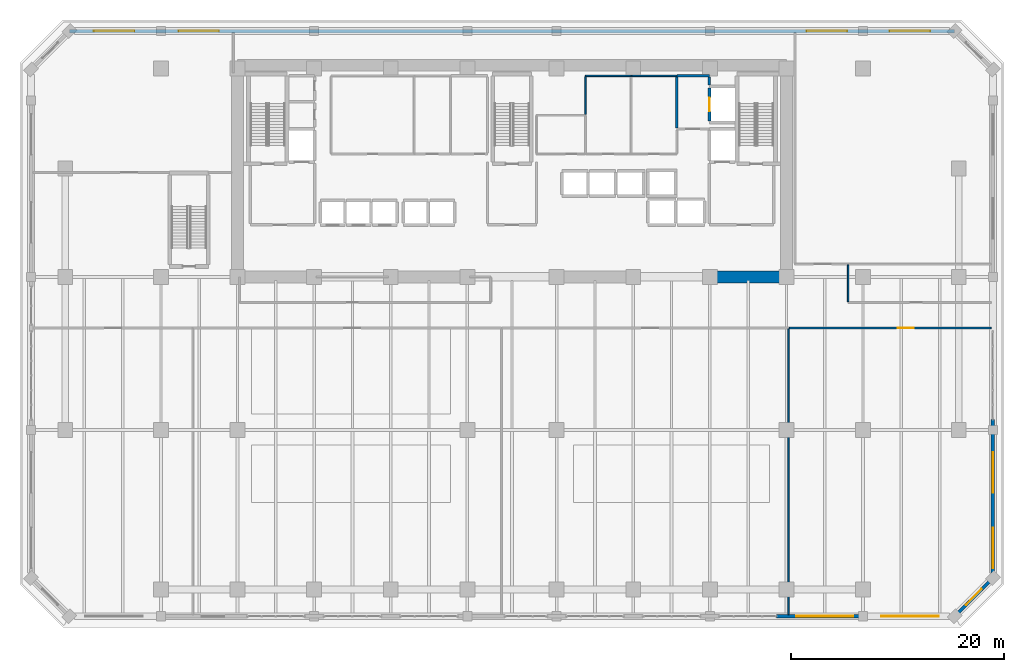
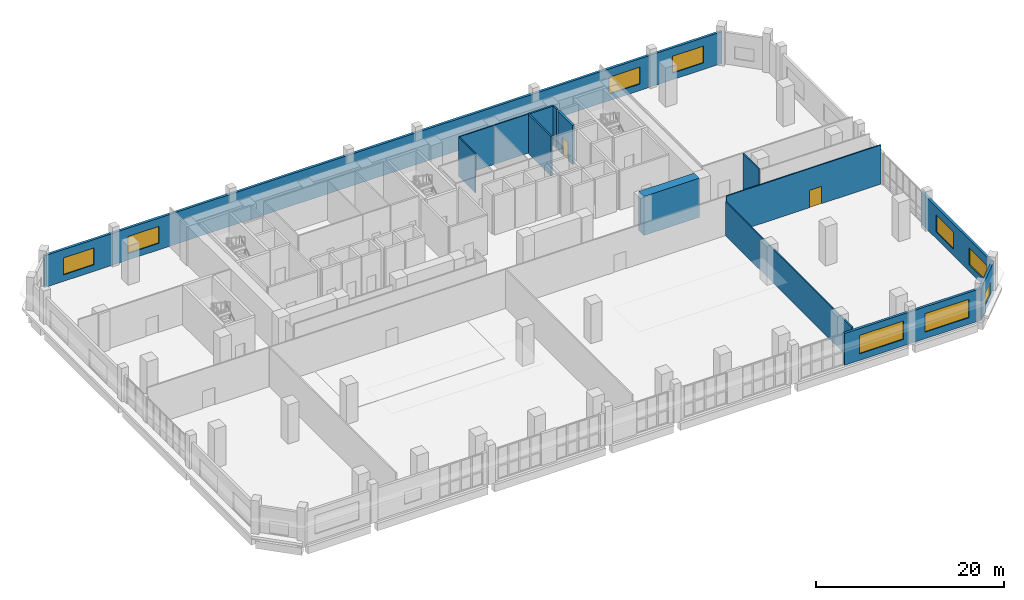
# One storey, part 21 of 25: 15 walls, 9 windows, 2 doors, 11 openings.
"""IFC4 building model written with IfcOpenShell, lengths in metres."""

from ifc_helpers import new_model, si_unit, direction, frame, frame_2d, origin, place, context, subcontext, project, spatial, rectangle, extrude, material, layer, layer_set, type_object, element, fill, save


model = new_model("IFC4")

# Units and contexts
model_context = context("Model", 3, precision=1e-05, world=origin(), true_north=direction((0.0, 1.0)))
body_context = subcontext(model_context, "Body", "Model", "MODEL_VIEW")
ifc_project = project(units=[si_unit("LENGTHUNIT", "METRE"), si_unit("AREAUNIT", "SQUARE_METRE"), si_unit("VOLUMEUNIT", "CUBIC_METRE"), si_unit("PLANEANGLEUNIT", "RADIAN"), si_unit("MASSUNIT", "GRAM", prefix="KILO")], contexts=[model_context])

# Site, building, storey
site_placement = place(None, origin())
site = spatial("IfcSite", under=ifc_project, at=site_placement, CompositionType="ELEMENT")
building_placement = place(site_placement, origin())
building = spatial("IfcBuilding", under=site, at=building_placement, Name="Kaelvorn Grand Hotel", CompositionType="ELEMENT")
storey_placement = place(building_placement, frame((0.0, 0.0, 14.0)))
storey = spatial("IfcBuildingStorey", under=building, at=storey_placement, Name="L02", CompositionType="ELEMENT", Elevation=14.0)

# Wall
ifc_material_1 = material(Name="Concrete C80/95", Category="concrete")
ifc_layer_1 = layer(ifc_material_1, 1.10009765625)
ifc_layer_set_1 = layer_set([ifc_layer_1], Name="Concrete C80/95")
wall_type_1 = type_object("IfcWallType", Name="WL-CORE-1100-C80", PredefinedType="SHEAR", material=ifc_layer_set_1)
wall_1_placement = place(storey_placement, frame((60.39990234375, 29.39990234375, 0.0), z_axis=(0.0, 0.0, 1.0), x_axis=(1.0, 0.0, 0.0)))
element("IfcWall", 1, at=wall_1_placement, inside=storey, type_object=wall_type_1, Name="L02 Rear-Core Coupled Shear Pier S4", PredefinedType="SHEAR", context=body_context, shape_type="SweptSolid", body=[
    extrude(rectangle(XDim=6.84521484375, YDim=1.10009765625, at=frame_2d((3.422607421875, 0.0))), origin(), (0.0, 0.0, 1.0), 5.080078125),
])

# Wall, openings, windows
ifc_material_2 = material(Name="Concrete C40/50", Category="concrete")
ifc_layer_2 = layer(ifc_material_2, 0.300048828125)
ifc_layer_set_2 = layer_set([ifc_layer_2], Name="Concrete C40/50")
wall_type_2 = type_object("IfcWallType", Name="WL-EXT-300-C40", PredefinedType="SOLIDWALL", material=ifc_layer_set_2)
wall_2_placement = place(storey_placement, frame((66.875, -2.5, 0.0), z_axis=(0.0, 0.0, 1.0), x_axis=(1.0, 0.0, 0.0)))
wall_2 = element("IfcWall", 2, at=wall_2_placement, inside=storey, type_object=wall_type_2, Name="L02 Exterior Architectural Concrete Wall 01 Pier 8", PredefinedType="SOLIDWALL", context=body_context, shape_type="SweptSolid", body=[
    extrude(rectangle(XDim=16.72509765625, YDim=0.300048828125, at=frame_2d((8.362548828125, 0.0))), origin(), (0.0, 0.0, 1.0), 4.1298828125),
])
opening_1_placement = place(wall_2_placement, frame((1.824951171875, 0.0, 0.85009765625)))
opening_1 = element("IfcOpeningElement", 3, at=opening_1_placement, cuts=wall_2, Name="Opening W8", PredefinedType="OPENING", context=body_context, shape_type="SweptSolid", body=[
    extrude(rectangle(XDim=5.39990234375, YDim=2.39990234375, at=frame_2d((2.699951171875, 1.199951171875))), frame((0.0, 0.16015625, 0.0), z_axis=(0.0, -1.0, 0.0), x_axis=(1.0, 0.0, 0.0)), (0.0, 0.0, 1.0), 0.320068359375),
])
opening_2_placement = place(wall_2_placement, frame((9.85009765625, 0.0, 0.85009765625)))
opening_2 = element("IfcOpeningElement", 4, at=opening_2_placement, cuts=wall_2, Name="Opening W8", PredefinedType="OPENING", context=body_context, shape_type="SweptSolid", body=[
    extrude(rectangle(XDim=5.39990234375, YDim=2.39990234375, at=frame_2d((2.699951171875, 1.199951171875))), frame((0.0, 0.16015625, 0.0), z_axis=(0.0, -1.0, 0.0), x_axis=(1.0, 0.0, 0.0)), (0.0, 0.0, 1.0), 0.320068359375),
])
ifc_material_3 = material(Name="Laminated Low-E Glass", Category="glass")
window_type_1 = type_object("IfcWindowType", Name="WIN-POD-5400x2400", PartitioningType="SINGLE_PANEL", PredefinedType="WINDOW", material=ifc_material_3)
window_1_placement = place(opening_1_placement, origin())
window_1 = element("IfcWindow", 5, at=window_1_placement, inside=storey, type_object=window_type_1, Name="L02 Podium South Ribbon Window 1", OverallHeight=2.39990234375, OverallWidth=5.39990234375, PartitioningType="SINGLE_PANEL", PredefinedType="WINDOW", context=body_context, shape_type="SweptSolid", body=[
    extrude(rectangle(XDim=5.39990234375, YDim=2.39990234375, at=frame_2d((2.699951171875, 1.199951171875))), frame((0.0, 0.030029296875, 0.0), z_axis=(0.0, -1.0, 0.0), x_axis=(1.0, 0.0, 0.0)), (0.0, 0.0, 1.0), 0.06005859375),
])
fill(opening_1, window_1)
window_2_placement = place(opening_2_placement, origin())
window_2 = element("IfcWindow", 6, at=window_2_placement, inside=storey, type_object=window_type_1, Name="L02 Podium South Ribbon Window 2", OverallHeight=2.39990234375, OverallWidth=5.39990234375, PartitioningType="SINGLE_PANEL", PredefinedType="WINDOW", context=body_context, shape_type="SweptSolid", body=[
    extrude(rectangle(XDim=5.39990234375, YDim=2.39990234375, at=frame_2d((2.699951171875, 1.199951171875))), frame((0.0, 0.030029296875, 0.0), z_axis=(0.0, -1.0, 0.0), x_axis=(1.0, 0.0, 0.0)), (0.0, 0.0, 1.0), 0.06005859375),
])
fill(opening_2, window_2)

# Wall, opening, window
wall_3_placement = place(storey_placement, frame((83.60009765625, -2.5, 0.0), z_axis=(0.0, 0.0, 1.0), x_axis=(0.707082803744, 0.707130757816, 0.0)))
wall_3 = element("IfcWall", 7, at=wall_3_placement, inside=storey, type_object=wall_type_2, Name="L02 Exterior Architectural Concrete Wall 02", PredefinedType="SOLIDWALL", context=body_context, shape_type="SweptSolid", body=[
    extrude(rectangle(XDim=5.091064453125, YDim=0.300048828125, at=frame_2d((2.54541015625, 0.0))), origin(), (0.0, 0.0, 1.0), 4.1298828125),
])
opening_3_placement = place(wall_3_placement, frame((1.49560546875, 0.0, 0.85009765625)))
opening_3 = element("IfcOpeningElement", 8, at=opening_3_placement, cuts=wall_3, Name="Opening W7", PredefinedType="OPENING", context=body_context, shape_type="SweptSolid", body=[
    extrude(rectangle(XDim=2.10009765625, YDim=1.60009765625, at=frame_2d((1.050048828125, 0.800048828125))), frame((0.0, 0.16015625, 0.0), z_axis=(0.0, -1.0, 0.0), x_axis=(1.0, 0.0, 0.0)), (0.0, 0.0, 1.0), 0.320068359375),
])
window_type_2 = type_object("IfcWindowType", Name="WIN-CHM-2100x1600", PartitioningType="SINGLE_PANEL", PredefinedType="WINDOW", material=ifc_material_3)
window_3_placement = place(opening_3_placement, origin())
window_3 = element("IfcWindow", 9, at=window_3_placement, inside=storey, type_object=window_type_2, Name="L02 Chamfered 45-Degree Corner Window SE", OverallHeight=1.60009765625, OverallWidth=2.10009765625, PartitioningType="SINGLE_PANEL", PredefinedType="WINDOW", context=body_context, shape_type="SweptSolid", body=[
    extrude(rectangle(XDim=2.10009765625, YDim=1.60009765625, at=frame_2d((1.050048828125, 0.800048828125))), frame((0.0, 0.030029296875, 0.0), z_axis=(0.0, -1.0, 0.0), x_axis=(1.0, 0.0, 0.0)), (0.0, 0.0, 1.0), 0.06005859375),
])
fill(opening_3, window_3)

# Wall, openings, windows
wall_4_placement = place(storey_placement, frame((87.199951171875, 1.10009765625, 0.0), z_axis=(0.0, 0.0, 1.0), x_axis=(0.0, 1.0, 0.0)))
wall_4 = element("IfcWall", 10, at=wall_4_placement, inside=storey, type_object=wall_type_2, Name="L02 Exterior Architectural Concrete Wall 03 Pier 1", PredefinedType="SOLIDWALL", context=body_context, shape_type="SweptSolid", body=[
    extrude(rectangle(XDim=14.90478515625, YDim=0.300048828125, at=frame_2d((7.452392578125, 0.0))), origin(), (0.0, 0.0, 1.0), 4.1298828125),
])
opening_4_placement = place(wall_4_placement, frame((0.925048828125, 0.0, 0.85009765625)))
opening_4 = element("IfcOpeningElement", 11, at=opening_4_placement, cuts=wall_4, Name="Opening W9", PredefinedType="OPENING", context=body_context, shape_type="SweptSolid", body=[
    extrude(rectangle(XDim=3.800048828125, YDim=2.199951171875, at=frame_2d((1.89990234375, 1.10009765625))), frame((0.0, 0.16015625, 0.0), z_axis=(0.0, -1.0, 0.0), x_axis=(1.0, 0.0, 0.0)), (0.0, 0.0, 1.0), 0.320068359375),
])
opening_5_placement = place(wall_4_placement, frame((8.0, 0.0, 0.85009765625)))
opening_5 = element("IfcOpeningElement", 12, at=opening_5_placement, cuts=wall_4, Name="Opening W9", PredefinedType="OPENING", context=body_context, shape_type="SweptSolid", body=[
    extrude(rectangle(XDim=3.800048828125, YDim=2.199951171875, at=frame_2d((1.89990234375, 1.10009765625))), frame((0.0, 0.16015625, 0.0), z_axis=(0.0, -1.0, 0.0), x_axis=(1.0, 0.0, 0.0)), (0.0, 0.0, 1.0), 0.320068359375),
])
window_type_3 = type_object("IfcWindowType", Name="WIN-POD-3800x2200", PartitioningType="SINGLE_PANEL", PredefinedType="WINDOW", material=ifc_material_3)
window_4_placement = place(opening_4_placement, origin())
window_4 = element("IfcWindow", 13, at=window_4_placement, inside=storey, type_object=window_type_3, Name="L02 Podium E Ribbon Window 1", OverallHeight=2.199951171875, OverallWidth=3.800048828125, PartitioningType="SINGLE_PANEL", PredefinedType="WINDOW", context=body_context, shape_type="SweptSolid", body=[
    extrude(rectangle(XDim=3.800048828125, YDim=2.199951171875, at=frame_2d((1.89990234375, 1.10009765625))), frame((0.0, 0.030029296875, 0.0), z_axis=(0.0, -1.0, 0.0), x_axis=(1.0, 0.0, 0.0)), (0.0, 0.0, 1.0), 0.06005859375),
])
fill(opening_4, window_4)
window_5_placement = place(opening_5_placement, origin())
window_5 = element("IfcWindow", 14, at=window_5_placement, inside=storey, type_object=window_type_3, Name="L02 Podium E Ribbon Window 2", OverallHeight=2.199951171875, OverallWidth=3.800048828125, PartitioningType="SINGLE_PANEL", PredefinedType="WINDOW", context=body_context, shape_type="SweptSolid", body=[
    extrude(rectangle(XDim=3.800048828125, YDim=2.199951171875, at=frame_2d((1.89990234375, 1.10009765625))), frame((0.0, 0.030029296875, 0.0), z_axis=(0.0, -1.0, 0.0), x_axis=(1.0, 0.0, 0.0)), (0.0, 0.0, 1.0), 0.06005859375),
])
fill(opening_5, window_5)

wall_5_placement = place(storey_placement, frame((83.60009765625, 52.5, 0.0), z_axis=(0.0, 0.0, 1.0), x_axis=(-1.0, 0.0, 0.0)))
wall_5 = element("IfcWall", 15, at=wall_5_placement, inside=storey, type_object=wall_type_2, Name="L02 Exterior Architectural Concrete Wall 05", PredefinedType="SOLIDWALL", context=body_context, shape_type="SweptSolid", body=[
    extrude(rectangle(XDim=83.2001953125, YDim=0.300048828125, at=frame_2d((41.60009765625, 0.0))), origin(), (0.0, 0.0, 1.0), 4.1298828125),
])
opening_6_placement = place(wall_5_placement, frame((77.10009765625, 0.0, 0.85009765625)))
opening_6 = element("IfcOpeningElement", 16, at=opening_6_placement, cuts=wall_5, Name="Opening W9", PredefinedType="OPENING", context=body_context, shape_type="SweptSolid", body=[
    extrude(rectangle(XDim=3.800048828125, YDim=2.199951171875, at=frame_2d((1.89990234375, 1.10009765625))), frame((0.0, 0.16015625, 0.0), z_axis=(0.0, -1.0, 0.0), x_axis=(1.0, 0.0, 0.0)), (0.0, 0.0, 1.0), 0.320068359375),
])
opening_7_placement = place(wall_5_placement, frame((69.14990234375, 0.0, 0.85009765625)))
opening_7 = element("IfcOpeningElement", 17, at=opening_7_placement, cuts=wall_5, Name="Opening W9", PredefinedType="OPENING", context=body_context, shape_type="SweptSolid", body=[
    extrude(rectangle(XDim=3.800048828125, YDim=2.199951171875, at=frame_2d((1.89990234375, 1.10009765625))), frame((0.0, 0.16015625, 0.0), z_axis=(0.0, -1.0, 0.0), x_axis=(1.0, 0.0, 0.0)), (0.0, 0.0, 1.0), 0.320068359375),
])
opening_8_placement = place(wall_5_placement, frame((10.10009765625, 0.0, 0.85009765625)))
opening_8 = element("IfcOpeningElement", 18, at=opening_8_placement, cuts=wall_5, Name="Opening W9", PredefinedType="OPENING", context=body_context, shape_type="SweptSolid", body=[
    extrude(rectangle(XDim=3.800048828125, YDim=2.199951171875, at=frame_2d((1.89990234375, 1.10009765625))), frame((0.0, 0.16015625, 0.0), z_axis=(0.0, -1.0, 0.0), x_axis=(1.0, 0.0, 0.0)), (0.0, 0.0, 1.0), 0.320068359375),
])
opening_9_placement = place(wall_5_placement, frame((2.300048828125, 0.0, 0.85009765625)))
opening_9 = element("IfcOpeningElement", 19, at=opening_9_placement, cuts=wall_5, Name="Opening W9", PredefinedType="OPENING", context=body_context, shape_type="SweptSolid", body=[
    extrude(rectangle(XDim=3.800048828125, YDim=2.199951171875, at=frame_2d((1.89990234375, 1.10009765625))), frame((0.0, 0.16015625, 0.0), z_axis=(0.0, -1.0, 0.0), x_axis=(1.0, 0.0, 0.0)), (0.0, 0.0, 1.0), 0.320068359375),
])
window_6_placement = place(opening_6_placement, origin())
window_6 = element("IfcWindow", 20, at=window_6_placement, inside=storey, type_object=window_type_3, Name="L02 Podium NW Ribbon Window 1", OverallHeight=2.199951171875, OverallWidth=3.800048828125, PartitioningType="SINGLE_PANEL", PredefinedType="WINDOW", context=body_context, shape_type="SweptSolid", body=[
    extrude(rectangle(XDim=3.800048828125, YDim=2.199951171875, at=frame_2d((1.89990234375, 1.10009765625))), frame((0.0, 0.030029296875, 0.0), z_axis=(0.0, -1.0, 0.0), x_axis=(1.0, 0.0, 0.0)), (0.0, 0.0, 1.0), 0.06005859375),
])
fill(opening_6, window_6)
window_7_placement = place(opening_7_placement, origin())
window_7 = element("IfcWindow", 21, at=window_7_placement, inside=storey, type_object=window_type_3, Name="L02 Podium NW Ribbon Window 2", OverallHeight=2.199951171875, OverallWidth=3.800048828125, PartitioningType="SINGLE_PANEL", PredefinedType="WINDOW", context=body_context, shape_type="SweptSolid", body=[
    extrude(rectangle(XDim=3.800048828125, YDim=2.199951171875, at=frame_2d((1.89990234375, 1.10009765625))), frame((0.0, 0.030029296875, 0.0), z_axis=(0.0, -1.0, 0.0), x_axis=(1.0, 0.0, 0.0)), (0.0, 0.0, 1.0), 0.06005859375),
])
fill(opening_7, window_7)
window_8_placement = place(opening_8_placement, origin())
window_8 = element("IfcWindow", 22, at=window_8_placement, inside=storey, type_object=window_type_3, Name="L02 Podium NE Ribbon Window 1", OverallHeight=2.199951171875, OverallWidth=3.800048828125, PartitioningType="SINGLE_PANEL", PredefinedType="WINDOW", context=body_context, shape_type="SweptSolid", body=[
    extrude(rectangle(XDim=3.800048828125, YDim=2.199951171875, at=frame_2d((1.89990234375, 1.10009765625))), frame((0.0, 0.030029296875, 0.0), z_axis=(0.0, -1.0, 0.0), x_axis=(1.0, 0.0, 0.0)), (0.0, 0.0, 1.0), 0.06005859375),
])
fill(opening_8, window_8)
window_9_placement = place(opening_9_placement, origin())
window_9 = element("IfcWindow", 23, at=window_9_placement, inside=storey, type_object=window_type_3, Name="L02 Podium NE Ribbon Window 2", OverallHeight=2.199951171875, OverallWidth=3.800048828125, PartitioningType="SINGLE_PANEL", PredefinedType="WINDOW", context=body_context, shape_type="SweptSolid", body=[
    extrude(rectangle(XDim=3.800048828125, YDim=2.199951171875, at=frame_2d((1.89990234375, 1.10009765625))), frame((0.0, 0.030029296875, 0.0), z_axis=(0.0, -1.0, 0.0), x_axis=(1.0, 0.0, 0.0)), (0.0, 0.0, 1.0), 0.06005859375),
])
fill(opening_9, window_9)

# Walls
ifc_material_4 = material(Name="Moisture-Resistant Tile & Stud Board")
ifc_layer_3 = layer(ifc_material_4, 0.125)
ifc_layer_set_3 = layer_set([ifc_layer_3], Name="Moisture-Resistant Tile & Stud Board")
wall_type_3 = type_object("IfcWallType", Name="WL-PART-125-WET", PredefinedType="PARTITIONING", material=ifc_layer_set_3)
wall_6_placement = place(storey_placement, frame((48.89990234375, 48.300048828125, 0.0), z_axis=(0.0, 0.0, 1.0), x_axis=(1.0, 0.0, 0.0)))
element("IfcWall", 24, at=wall_6_placement, inside=storey, type_object=wall_type_3, Name="L02 Male Public Toilets N Partition", PredefinedType="PARTITIONING", context=body_context, shape_type="SweptSolid", body=[
    extrude(rectangle(XDim=4.300048828125, YDim=0.125, at=frame_2d((2.14990234375, 0.0))), origin(), (0.0, 0.0, 1.0), 5.080078125),
])
wall_7_placement = place(storey_placement, frame((48.89990234375, 44.66748046875, 0.0), z_axis=(0.0, 0.0, 1.0), x_axis=(0.0, 1.0, 0.0)))
element("IfcWall", 25, at=wall_7_placement, inside=storey, type_object=wall_type_3, Name="L02 Male Public Toilets W Partition", PredefinedType="PARTITIONING", context=body_context, shape_type="SweptSolid", body=[
    extrude(rectangle(XDim=3.56494140625, YDim=0.125, at=frame_2d((1.782470703125, 0.0))), origin(), (0.0, 0.0, 1.0), 5.080078125),
])
wall_8_placement = place(storey_placement, frame((53.267578125, 48.300048828125, 0.0), z_axis=(0.0, 0.0, 1.0), x_axis=(1.0, 0.0, 0.0)))
element("IfcWall", 26, at=wall_8_placement, inside=storey, type_object=wall_type_3, Name="L02 Female Public Toilets N Partition", PredefinedType="PARTITIONING", context=body_context, shape_type="SweptSolid", body=[
    extrude(rectangle(XDim=4.222412109375, YDim=0.125, at=frame_2d((2.111328125, 0.0))), origin(), (0.0, 0.0, 1.0), 5.080078125),
])
ifc_material_5 = material(Name="Acoustic Gypsum & Stud Partition")
ifc_layer_4 = layer(ifc_material_5, 0.14990234375)
ifc_layer_set_4 = layer_set([ifc_layer_4], Name="Acoustic Gypsum & Stud Partition")
wall_type_4 = type_object("IfcWallType", Name="WL-PART-150-EI60", PredefinedType="PARTITIONING", material=ifc_layer_set_4)
wall_9_placement = place(storey_placement, frame((73.60009765625, 27.080078125, 0.0), z_axis=(0.0, 0.0, 1.0), x_axis=(0.0, 1.0, 0.0)))
element("IfcWall", 27, at=wall_9_placement, inside=storey, type_object=wall_type_4, Name="L02 L02 East Podium Support Office W Partition", PredefinedType="PARTITIONING", context=body_context, shape_type="SweptSolid", body=[
    extrude(rectangle(XDim=3.43994140625, YDim=0.14990234375, at=frame_2d((1.719970703125, 0.0))), origin(), (0.0, 0.0, 1.0), 5.080078125),
])
wall_10_placement = place(storey_placement, frame((68.0, -2.344970703125, 0.0), z_axis=(0.0, 0.0, 1.0), x_axis=(0.0, 1.0, 0.0)))
element("IfcWall", 28, at=wall_10_placement, inside=storey, type_object=wall_type_4, Name="L02 Specialty Malaysian Fine Dining Restaurant E Partition", PredefinedType="PARTITIONING", context=body_context, shape_type="SweptSolid", body=[
    extrude(rectangle(XDim=26.864990234375, YDim=0.14990234375, at=frame_2d((13.4326171875, 0.0))), origin(), (0.0, 0.0, 1.0), 4.392578125),
])

# Wall, opening, door
wall_11_placement = place(storey_placement, frame((68.080078125, 24.60009765625, 0.0), z_axis=(0.0, 0.0, 1.0), x_axis=(1.0, 0.0, 0.0)))
wall_11 = element("IfcWall", 29, at=wall_11_placement, inside=storey, type_object=wall_type_4, Name="L02 Certified Halal Production Kitchen N Partition", PredefinedType="PARTITIONING", context=body_context, shape_type="SweptSolid", body=[
    extrude(rectangle(XDim=18.96484375, YDim=0.14990234375, at=frame_2d((9.482421875, 0.0))), origin(), (0.0, 0.0, 1.0), 5.080078125),
])
opening_10_placement = place(wall_11_placement, frame((10.169921875, 0.0, 0.0)))
opening_10 = element("IfcOpeningElement", 30, at=opening_10_placement, cuts=wall_11, Name="Opening DI5", PredefinedType="OPENING", context=body_context, shape_type="SweptSolid", body=[
    extrude(rectangle(XDim=1.5, YDim=2.25, at=frame_2d((0.75, 1.125))), frame((0.0, 0.0849609375, 0.0), z_axis=(0.0, -1.0, 0.0), x_axis=(1.0, 0.0, 0.0)), (0.0, 0.0, 1.0), 0.169921875),
])
ifc_material_6 = material(Name="Timber Veneer Fire Leaf", Category="wood")
door_type_1 = type_object("IfcDoorType", Name="DR-INT-SALON-1500x2250", OperationType="DOUBLE_DOOR_SINGLE_SWING", PredefinedType="DOOR", material=ifc_material_6)
door_1_placement = place(opening_10_placement, origin())
door_1 = element("IfcDoor", 31, at=door_1_placement, inside=storey, type_object=door_type_1, Name="L02 Certified Halal Production Kitchen Door", OperationType="DOUBLE_DOOR_SINGLE_SWING", OverallHeight=2.25, OverallWidth=1.5, PredefinedType="DOOR", context=body_context, shape_type="SweptSolid", body=[
    extrude(rectangle(XDim=1.5, YDim=2.25, at=frame_2d((0.75, 1.125))), frame((0.0, 0.02490234375, 0.0), z_axis=(0.0, -1.0, 0.0), x_axis=(1.0, 0.0, 0.0)), (0.0, 0.0, 1.0), 0.050048828125),
])
fill(opening_10, door_1)

# Walls
ifc_layer_5 = layer(ifc_material_2, 0.219970703125)
ifc_layer_set_5 = layer_set([ifc_layer_5], Name="Concrete C40/50")
wall_type_5 = type_object("IfcWallType", Name="WL-PART-220-EI120", PredefinedType="PARTITIONING", material=ifc_layer_set_5)
wall_12_placement = place(storey_placement, frame((57.5, 48.300048828125, 0.0), z_axis=(0.0, 0.0, 1.0), x_axis=(1.0, 0.0, 0.0)))
element("IfcWall", 32, at=wall_12_placement, inside=storey, type_object=wall_type_5, Name="L02 Service Lift Lobby N Partition", PredefinedType="PARTITIONING", context=body_context, shape_type="SweptSolid", body=[
    extrude(rectangle(XDim=3.050048828125, YDim=0.219970703125, at=frame_2d((1.52490234375, 0.0))), origin(), (0.0, 0.0, 1.0), 5.080078125),
])
wall_13_placement = place(storey_placement, frame((57.5, 43.4150390625, 0.0), z_axis=(0.0, 0.0, 1.0), x_axis=(0.0, 1.0, 0.0)))
element("IfcWall", 33, at=wall_13_placement, inside=storey, type_object=wall_type_5, Name="L02 Service Lift Lobby W Partition", PredefinedType="PARTITIONING", context=body_context, shape_type="SweptSolid", body=[
    extrude(rectangle(XDim=4.77001953125, YDim=0.219970703125, at=frame_2d((2.385009765625, 0.0))), origin(), (0.0, 0.0, 1.0), 5.080078125),
])
wall_14_placement = place(storey_placement, frame((60.550048828125, 47.445068359375, 0.0), z_axis=(0.0, 0.0, 1.0), x_axis=(0.0, 1.0, 0.0)))
element("IfcWall", 34, at=wall_14_placement, inside=storey, type_object=wall_type_5, Name="L02 Service Lift Lobby E Partition", PredefinedType="PARTITIONING", context=body_context, shape_type="SweptSolid", body=[
    extrude(rectangle(XDim=0.739990234375, YDim=0.219970703125, at=frame_2d((0.3701171875, 0.0))), origin(), (0.0, 0.0, 1.0), 5.080078125),
])

# Wall, opening, door
ifc_material_7 = material(Name="Concrete C50/60", Category="concrete")
ifc_layer_6 = layer(ifc_material_7, 0.280029296875)
ifc_layer_set_6 = layer_set([ifc_layer_6], Name="Concrete C50/60")
wall_type_6 = type_object("IfcWallType", Name="WL-SHAFT-280-C50", PredefinedType="SHEAR", material=ifc_layer_set_6)
wall_15_placement = place(storey_placement, frame((60.550048828125, 44.044921875, 0.0), z_axis=(0.0, 0.0, 1.0), x_axis=(0.0, 1.0, 0.0)))
wall_15 = element("IfcWall", 35, at=wall_15_placement, inside=storey, type_object=wall_type_6, Name="L02 Lift SV1 Shaft West Wall", PredefinedType="SHEAR", context=body_context, shape_type="SweptSolid", body=[
    extrude(rectangle(XDim=3.110107421875, YDim=0.280029296875, at=frame_2d((1.55517578125, 0.0))), origin(), (0.0, 0.0, 1.0), 5.080078125),
])
opening_11_placement = place(wall_15_placement, frame((0.905029296875, 0.0, 0.0)))
opening_11 = element("IfcOpeningElement", 36, at=opening_11_placement, cuts=wall_15, Name="Opening LD-SV1", PredefinedType="OPENING", context=body_context, shape_type="SweptSolid", body=[
    extrude(rectangle(XDim=1.300048828125, YDim=2.300048828125, at=frame_2d((0.64990234375, 1.14990234375))), frame((0.0, 0.14990234375, 0.0), z_axis=(0.0, -1.0, 0.0), x_axis=(1.0, 0.0, 0.0)), (0.0, 0.0, 1.0), 0.300048828125),
])
ifc_material_8 = material(Name="Stainless Steel", Category="steel")
door_type_2 = type_object("IfcDoorType", Name="DR-LIFT-SERV-1300x2300", OperationType="DOUBLE_DOOR_SLIDING", PredefinedType="DOOR", material=ifc_material_8)
door_2_placement = place(opening_11_placement, origin())
door_2 = element("IfcDoor", 37, at=door_2_placement, inside=storey, type_object=door_type_2, Name="L02 Lift SV1 Sliding Landing Door LD-SV1", OperationType="DOUBLE_DOOR_SLIDING", OverallHeight=2.300048828125, OverallWidth=1.300048828125, PredefinedType="DOOR", context=body_context, shape_type="SweptSolid", body=[
    extrude(rectangle(XDim=1.300048828125, YDim=2.300048828125, at=frame_2d((0.64990234375, 1.14990234375))), frame((0.0, 0.02490234375, 0.0), z_axis=(0.0, -1.0, 0.0), x_axis=(1.0, 0.0, 0.0)), (0.0, 0.0, 1.0), 0.050048828125),
])
fill(opening_11, door_2)

save(model, "model.ifc")
